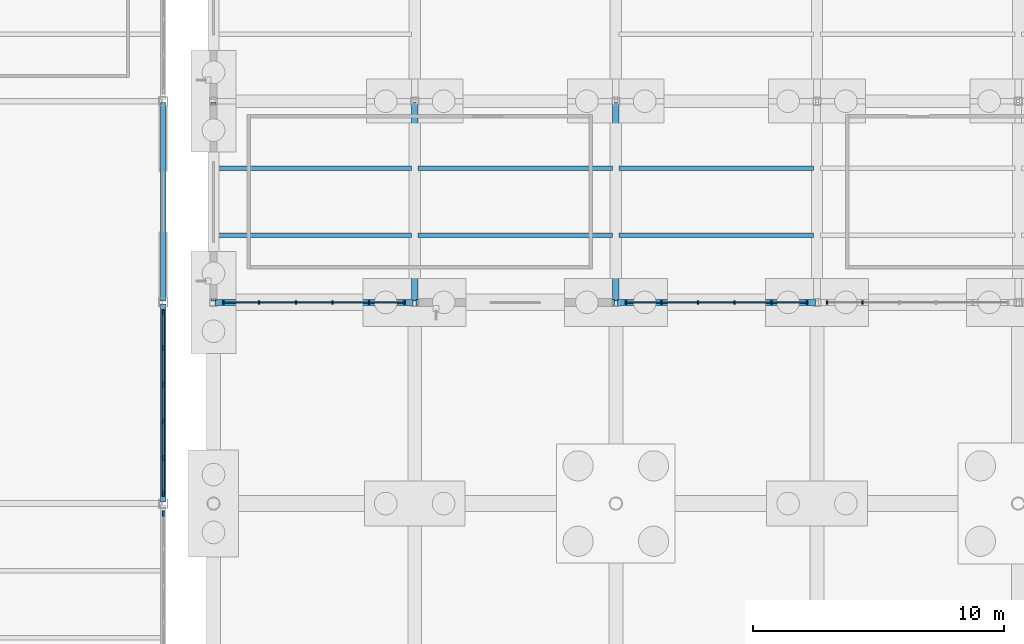
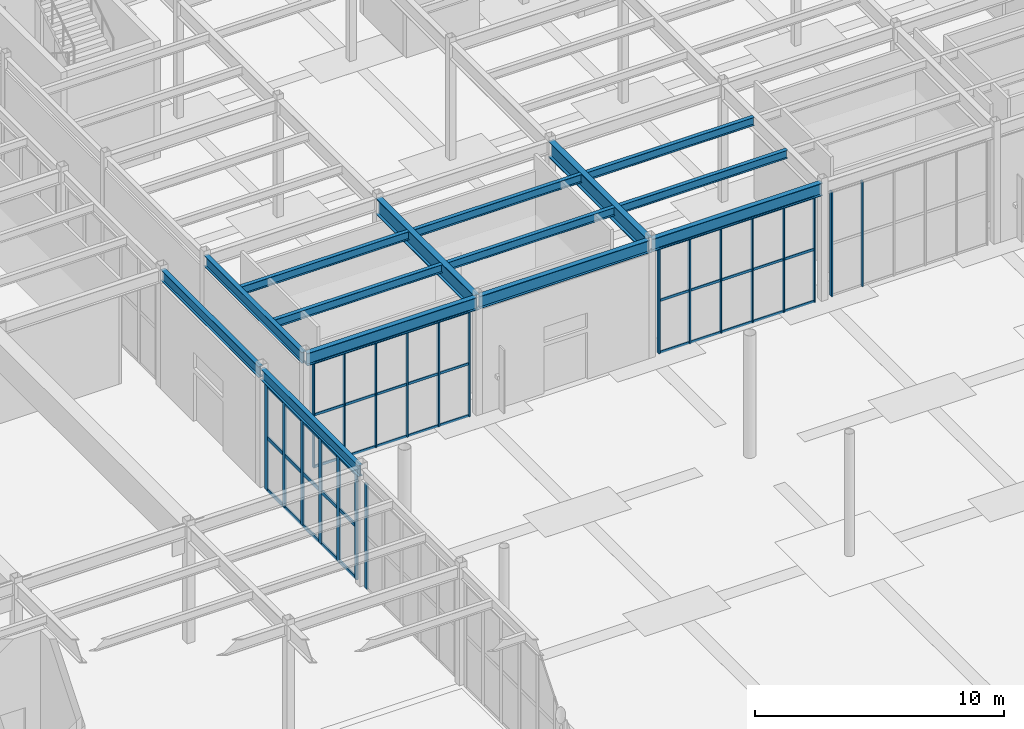
# One storey, part 43 of 82: 30 members, 14 beams, 5 elements without a shape of their own.
"""IFC4 building model written with IfcOpenShell, lengths in metres."""

from ifc_helpers import new_model, si_unit, direction, frame, origin, origin_2d, place, context, subcontext, project, spatial, rectangle, i_section, extrude, material, material_profile, profile_set, type_object, element, aggregate, save


model = new_model("IFC4")

# Units and contexts
model_context = context("Model", 3, precision=1e-05, world=origin(), true_north=direction((0.0, 1.0)))
body_context = subcontext(model_context, "Body", "Model", "MODEL_VIEW")
ifc_project = project(units=[si_unit("LENGTHUNIT", "METRE"), si_unit("AREAUNIT", "SQUARE_METRE"), si_unit("VOLUMEUNIT", "CUBIC_METRE"), si_unit("PLANEANGLEUNIT", "RADIAN"), si_unit("MASSUNIT", "GRAM", prefix="KILO")], contexts=[model_context])

# Site, building, storey
site_placement = place(None, origin())
site = spatial("IfcSite", under=ifc_project, at=site_placement, CompositionType="ELEMENT")
building_placement = place(site_placement, origin())
building = spatial("IfcBuilding", under=site, at=building_placement, Name="Drelvath Fold Interchange", CompositionType="ELEMENT")
storey_placement = place(building_placement, origin())
storey = spatial("IfcBuildingStorey", under=building, at=storey_placement, Name="L00", CompositionType="ELEMENT", Elevation=0.0)

# Beams
ifc_material_1 = material(Name="Steel ASTM A992 Grade 50", Category="steel")
ifc_material_profile_1 = material_profile(ifc_material_1, i_section(OverallWidth=0.177978515625, OverallDepth=0.403076171875, WebThickness=0.007568359375, FlangeThickness=0.010986328125, at=origin_2d()), Name="W16X36")
ifc_profile_set_1 = profile_set([ifc_material_profile_1], Name="Steel ASTM A992 Grade 50")
beam_type_1 = type_object("IfcBeamType", Name="BM-W16X36", PredefinedType="JOIST", material=ifc_profile_set_1)
for number, where, z_axis, x_axis, name in (
    (1, (102.10302734375, 77.6669921875, 5.55810546875), (1.0, 0.0, 0.0), (0.0, 1.0, 0.0), "L00 Secondary floor joist BM-W16X36"),
    (2, (102.10302734375, 80.3330078125, 5.55810546875), (1.0, 0.0, 0.0), (0.0, 1.0, 0.0), "L00 Secondary floor joist BM-W16X36"),
):
    element("IfcBeam", number, at=place(storey_placement, frame(where, z_axis=z_axis, x_axis=x_axis)), inside=storey, type_object=beam_type_1, Name=name, PredefinedType="JOIST", context=body_context, shape_type="SweptSolid", body=[
        extrude(i_section(OverallWidth=0.177978515625, OverallDepth=0.403076171875, WebThickness=0.007568359375, FlangeThickness=0.010986328125, at=origin_2d()), origin(), (0.0, 0.0, 1.0), 7.765869140625),
    ])
for number, where, z_axis, x_axis, name in (
    (3, (110.131103515625, 77.6669921875, 5.55810546875), (1.0, 0.0, 0.0), (0.0, 1.0, 0.0), "L00 Secondary floor joist BM-W16X36"),
    (4, (110.131103515625, 80.3330078125, 5.55810546875), (1.0, 0.0, 0.0), (0.0, 1.0, 0.0), "L00 Secondary floor joist BM-W16X36"),
    (5, (118.131103515625, 77.6669921875, 5.55810546875), (1.0, 0.0, 0.0), (0.0, 1.0, 0.0), "L00 Secondary floor joist BM-W16X36"),
    (6, (118.131103515625, 80.3330078125, 5.55810546875), (1.0, 0.0, 0.0), (0.0, 1.0, 0.0), "L00 Secondary floor joist BM-W16X36"),
):
    element("IfcBeam", number, at=place(storey_placement, frame(where, z_axis=z_axis, x_axis=x_axis)), inside=storey, type_object=beam_type_1, Name=name, PredefinedType="JOIST", context=body_context, shape_type="SweptSolid", body=[
        extrude(i_section(OverallWidth=0.177978515625, OverallDepth=0.403076171875, WebThickness=0.007568359375, FlangeThickness=0.010986328125, at=origin_2d()), origin(), (0.0, 0.0, 1.0), 7.73779296875),
    ])
ifc_material_profile_2 = material_profile(ifc_material_1, i_section(OverallWidth=0.2099609375, OverallDepth=0.537109375, WebThickness=0.010986328125, FlangeThickness=0.017333984375, at=origin_2d()), Name="W21X68")
ifc_profile_set_2 = profile_set([ifc_material_profile_2], Name="Steel ASTM A992 Grade 50")
beam_type_2 = type_object("IfcBeamType", Name="BM-W21X68", PredefinedType="SPANDREL", material=ifc_profile_set_2)
for number, where, z_axis, x_axis, name in (
    (7, (100.0, 67.06005859375, 5.490966796875), (0.0, 1.0, 0.0), (-1.0, 0.0, 0.0), "L00 Primary Y girder BM-W21X68"),
    (8, (100.0, 75.06005859375, 5.490966796875), (0.0, 1.0, 0.0), (-1.0, 0.0, 0.0), "L00 Primary Y girder BM-W21X68"),
    (9, (102.0, 75.06005859375, 5.490966796875), (0.0, 1.0, 0.0), (-1.0, 0.0, 0.0), "L00 Primary Y girder BM-W21X68"),
):
    element("IfcBeam", number, at=place(storey_placement, frame(where, z_axis=z_axis, x_axis=x_axis)), inside=storey, type_object=beam_type_2, Name=name, PredefinedType="SPANDREL", context=body_context, shape_type="SweptSolid", body=[
        extrude(i_section(OverallWidth=0.2099609375, OverallDepth=0.537109375, WebThickness=0.010986328125, FlangeThickness=0.017333984375, at=origin_2d()), origin(), (0.0, 0.0, 1.0), 7.8798828125),
    ])
ifc_material_profile_3 = material_profile(ifc_material_1, i_section(OverallWidth=0.22998046875, OverallDepth=0.616943359375, WebThickness=0.01318359375, FlangeThickness=0.022216796875, at=origin_2d()), Name="W24X94")
ifc_profile_set_3 = profile_set([ifc_material_profile_3], Name="Steel ASTM A992 Grade 50")
beam_type_3 = type_object("IfcBeamType", Name="BM-W24X94", PredefinedType="BEAM", material=ifc_profile_set_3)
for number, where, z_axis, x_axis, name in (
    (10, (102.06005859375, 75.0, 5.450927734375), (1.0, 0.0, 0.0), (0.0, 1.0, 0.0), "L00 Primary X girder BM-W24X94"),
    (11, (110.06005859375, 75.0, 5.450927734375), (1.0, 0.0, 0.0), (0.0, 1.0, 0.0), "L00 Primary X girder BM-W24X94"),
    (12, (118.06005859375, 75.0, 5.450927734375), (1.0, 0.0, 0.0), (0.0, 1.0, 0.0), "L00 Primary X girder BM-W24X94"),
):
    element("IfcBeam", number, at=place(storey_placement, frame(where, z_axis=z_axis, x_axis=x_axis)), inside=storey, type_object=beam_type_3, Name=name, PredefinedType="BEAM", context=body_context, shape_type="SweptSolid", body=[
        extrude(i_section(OverallWidth=0.22998046875, OverallDepth=0.616943359375, WebThickness=0.01318359375, FlangeThickness=0.022216796875, at=origin_2d()), origin(), (0.0, 0.0, 1.0), 7.8798828125),
    ])
ifc_material_profile_4 = material_profile(ifc_material_1, i_section(OverallWidth=0.26611328125, OverallDepth=0.779052734375, WebThickness=0.0166015625, FlangeThickness=0.030029296875, at=origin_2d()), Name="W30X148")
ifc_profile_set_4 = profile_set([ifc_material_profile_4], Name="Steel ASTM A992 Grade 50")
beam_type_4 = type_object("IfcBeamType", Name="BM-W30X148", PredefinedType="BEAM", material=ifc_profile_set_4)
for number, where, z_axis, x_axis, name in (
    (13, (110.0, 75.06005859375, 5.3701171875), (0.0, 1.0, 0.0), (-1.0, 0.0, 0.0), "L00 Primary Y girder BM-W30X148"),
    (14, (118.0, 75.06005859375, 5.3701171875), (0.0, 1.0, 0.0), (-1.0, 0.0, 0.0), "L00 Primary Y girder BM-W30X148"),
):
    element("IfcBeam", number, at=place(storey_placement, frame(where, z_axis=z_axis, x_axis=x_axis)), inside=storey, type_object=beam_type_4, Name=name, PredefinedType="BEAM", context=body_context, shape_type="SweptSolid", body=[
        extrude(i_section(OverallWidth=0.26611328125, OverallDepth=0.779052734375, WebThickness=0.0166015625, FlangeThickness=0.030029296875, at=origin_2d()), origin(), (0.0, 0.0, 1.0), 7.8798828125),
    ])

# Curtain wall, members
ifc_material_2 = material(Name="Anodized Aluminium 6063-T6", Category="aluminium")
curtain_wall_type_1 = type_object("IfcCurtainWallType", Name="CW-CYC-500", PredefinedType="USERDEFINED", material=ifc_material_2)
curtain_wall_1_placement = place(storey_placement, origin())
curtain_wall_1 = element("IfcCurtainWall", 15, at=curtain_wall_1_placement, inside=storey, type_object=curtain_wall_type_1, Name="Curtain wall CW-CYC-L00-S102", ObjectType="UNITISED CURTAIN WALL", PredefinedType="USERDEFINED")
ifc_material_profile_5 = material_profile(ifc_material_2, rectangle(XDim=0.06005859375, YDim=0.14990234375, at=origin_2d()), Name="AL-M 60x150")
ifc_profile_set_5 = profile_set([ifc_material_profile_5], Name="Anodized Aluminium 6063-T6")
member_type_1 = type_object("IfcMemberType", Name="ML-150", PredefinedType="MULLION", material=ifc_profile_set_5)
member_1_placement = place(storey_placement, frame((102.39990234375, 75.0, 0.0), z_axis=(0.0, 0.0, 1.0), x_axis=(1.0, 0.0, 0.0)))
member_1 = element("IfcMember", 16, at=member_1_placement, type_object=member_type_1, Name="CW-CYC-L00-S102 mullion 0", PredefinedType="MULLION", context=body_context, shape_type="SweptSolid", body=[
    extrude(rectangle(XDim=0.06005859375, YDim=0.14990234375, at=origin_2d()), origin(), (0.0, 0.0, 1.0), 5.14990234375),
])
member_2_placement = place(storey_placement, frame((103.81591796875, 75.0, 0.0), z_axis=(0.0, 0.0, 1.0), x_axis=(1.0, 0.0, 0.0)))
member_2 = element("IfcMember", 17, at=member_2_placement, type_object=member_type_1, Name="CW-CYC-L00-S102 mullion 1", PredefinedType="MULLION", context=body_context, shape_type="SweptSolid", body=[
    extrude(rectangle(XDim=0.06005859375, YDim=0.14990234375, at=origin_2d()), origin(), (0.0, 0.0, 1.0), 5.14990234375),
])
member_3_placement = place(storey_placement, frame((105.27197265625, 75.0, 0.0), z_axis=(0.0, 0.0, 1.0), x_axis=(1.0, 0.0, 0.0)))
member_3 = element("IfcMember", 18, at=member_3_placement, type_object=member_type_1, Name="CW-CYC-L00-S102 mullion 2", PredefinedType="MULLION", context=body_context, shape_type="SweptSolid", body=[
    extrude(rectangle(XDim=0.06005859375, YDim=0.14990234375, at=origin_2d()), origin(), (0.0, 0.0, 1.0), 5.14990234375),
])
member_4_placement = place(storey_placement, frame((106.72802734375, 75.0, 0.0), z_axis=(0.0, 0.0, 1.0), x_axis=(1.0, 0.0, 0.0)))
member_4 = element("IfcMember", 19, at=member_4_placement, type_object=member_type_1, Name="CW-CYC-L00-S102 mullion 3", PredefinedType="MULLION", context=body_context, shape_type="SweptSolid", body=[
    extrude(rectangle(XDim=0.06005859375, YDim=0.14990234375, at=origin_2d()), origin(), (0.0, 0.0, 1.0), 5.14990234375),
])
member_5_placement = place(storey_placement, frame((108.18408203125, 75.0, 0.0), z_axis=(0.0, 0.0, 1.0), x_axis=(1.0, 0.0, 0.0)))
member_5 = element("IfcMember", 20, at=member_5_placement, type_object=member_type_1, Name="CW-CYC-L00-S102 mullion 4", PredefinedType="MULLION", context=body_context, shape_type="SweptSolid", body=[
    extrude(rectangle(XDim=0.06005859375, YDim=0.14990234375, at=origin_2d()), origin(), (0.0, 0.0, 1.0), 5.14990234375),
])
member_6_placement = place(storey_placement, frame((109.60009765625, 75.0, 0.0), z_axis=(0.0, 0.0, 1.0), x_axis=(1.0, 0.0, 0.0)))
member_6 = element("IfcMember", 21, at=member_6_placement, type_object=member_type_1, Name="CW-CYC-L00-S102 mullion 5", PredefinedType="MULLION", context=body_context, shape_type="SweptSolid", body=[
    extrude(rectangle(XDim=0.06005859375, YDim=0.14990234375, at=origin_2d()), origin(), (0.0, 0.0, 1.0), 5.14990234375),
])

curtain_wall_2_placement = place(storey_placement, origin())
curtain_wall_2 = element("IfcCurtainWall", 22, at=curtain_wall_2_placement, inside=storey, type_object=curtain_wall_type_1, Name="Curtain wall CW-CYC-L00-S118", ObjectType="UNITISED CURTAIN WALL", PredefinedType="USERDEFINED")
member_7_placement = place(storey_placement, frame((118.39990234375, 75.0, 0.0), z_axis=(0.0, 0.0, 1.0), x_axis=(1.0, 0.0, 0.0)))
member_7 = element("IfcMember", 23, at=member_7_placement, type_object=member_type_1, Name="CW-CYC-L00-S118 mullion 0", PredefinedType="MULLION", context=body_context, shape_type="SweptSolid", body=[
    extrude(rectangle(XDim=0.06005859375, YDim=0.14990234375, at=origin_2d()), origin(), (0.0, 0.0, 1.0), 5.14990234375),
])
member_8_placement = place(storey_placement, frame((119.81591796875, 75.0, 0.0), z_axis=(0.0, 0.0, 1.0), x_axis=(1.0, 0.0, 0.0)))
member_8 = element("IfcMember", 24, at=member_8_placement, type_object=member_type_1, Name="CW-CYC-L00-S118 mullion 1", PredefinedType="MULLION", context=body_context, shape_type="SweptSolid", body=[
    extrude(rectangle(XDim=0.06005859375, YDim=0.14990234375, at=origin_2d()), origin(), (0.0, 0.0, 1.0), 5.14990234375),
])
member_9_placement = place(storey_placement, frame((121.27197265625, 75.0, 0.0), z_axis=(0.0, 0.0, 1.0), x_axis=(1.0, 0.0, 0.0)))
member_9 = element("IfcMember", 25, at=member_9_placement, type_object=member_type_1, Name="CW-CYC-L00-S118 mullion 2", PredefinedType="MULLION", context=body_context, shape_type="SweptSolid", body=[
    extrude(rectangle(XDim=0.06005859375, YDim=0.14990234375, at=origin_2d()), origin(), (0.0, 0.0, 1.0), 5.14990234375),
])
member_10_placement = place(storey_placement, frame((122.72802734375, 75.0, 0.0), z_axis=(0.0, 0.0, 1.0), x_axis=(1.0, 0.0, 0.0)))
member_10 = element("IfcMember", 26, at=member_10_placement, type_object=member_type_1, Name="CW-CYC-L00-S118 mullion 3", PredefinedType="MULLION", context=body_context, shape_type="SweptSolid", body=[
    extrude(rectangle(XDim=0.06005859375, YDim=0.14990234375, at=origin_2d()), origin(), (0.0, 0.0, 1.0), 5.14990234375),
])
member_11_placement = place(storey_placement, frame((124.18408203125, 75.0, 0.0), z_axis=(0.0, 0.0, 1.0), x_axis=(1.0, 0.0, 0.0)))
member_11 = element("IfcMember", 27, at=member_11_placement, type_object=member_type_1, Name="CW-CYC-L00-S118 mullion 4", PredefinedType="MULLION", context=body_context, shape_type="SweptSolid", body=[
    extrude(rectangle(XDim=0.06005859375, YDim=0.14990234375, at=origin_2d()), origin(), (0.0, 0.0, 1.0), 5.14990234375),
])
member_12_placement = place(storey_placement, frame((125.60009765625, 75.0, 0.0), z_axis=(0.0, 0.0, 1.0), x_axis=(1.0, 0.0, 0.0)))
member_12 = element("IfcMember", 28, at=member_12_placement, type_object=member_type_1, Name="CW-CYC-L00-S118 mullion 5", PredefinedType="MULLION", context=body_context, shape_type="SweptSolid", body=[
    extrude(rectangle(XDim=0.06005859375, YDim=0.14990234375, at=origin_2d()), origin(), (0.0, 0.0, 1.0), 5.14990234375),
])

curtain_wall_3_placement = place(storey_placement, origin())
curtain_wall_3 = element("IfcCurtainWall", 29, at=curtain_wall_3_placement, inside=storey, type_object=curtain_wall_type_1, Name="Curtain wall CW-CYC-L00-S126", ObjectType="UNITISED CURTAIN WALL", PredefinedType="USERDEFINED")
member_13_placement = place(storey_placement, frame((126.39990234375, 75.0, 0.0), z_axis=(0.0, 0.0, 1.0), x_axis=(1.0, 0.0, 0.0)))
member_13 = element("IfcMember", 30, at=member_13_placement, type_object=member_type_1, Name="CW-CYC-L00-S126 mullion 0", PredefinedType="MULLION", context=body_context, shape_type="SweptSolid", body=[
    extrude(rectangle(XDim=0.06005859375, YDim=0.14990234375, at=origin_2d()), origin(), (0.0, 0.0, 1.0), 5.14990234375),
])
member_14_placement = place(storey_placement, frame((127.81591796875, 75.0, 0.0), z_axis=(0.0, 0.0, 1.0), x_axis=(1.0, 0.0, 0.0)))
member_14 = element("IfcMember", 31, at=member_14_placement, type_object=member_type_1, Name="CW-CYC-L00-S126 mullion 1", PredefinedType="MULLION", context=body_context, shape_type="SweptSolid", body=[
    extrude(rectangle(XDim=0.06005859375, YDim=0.14990234375, at=origin_2d()), origin(), (0.0, 0.0, 1.0), 5.14990234375),
])
aggregate(curtain_wall_3, [member_13, member_14])

# Curtain wall, member
curtain_wall_type_2 = type_object("IfcCurtainWallType", Name="CW-CON-600", PredefinedType="USERDEFINED", material=ifc_material_2)
curtain_wall_4_placement = place(storey_placement, origin())
curtain_wall_4 = element("IfcCurtainWall", 32, at=curtain_wall_4_placement, inside=storey, type_object=curtain_wall_type_2, Name="Curtain wall CW-V1E-L00-Y59", ObjectType="UNITISED CURTAIN WALL", PredefinedType="USERDEFINED")
ifc_material_profile_6 = material_profile(ifc_material_2, rectangle(XDim=0.06494140625, YDim=0.219970703125, at=origin_2d()), Name="AL-M 65x220")
ifc_profile_set_6 = profile_set([ifc_material_profile_6], Name="Anodized Aluminium 6063-T6")
member_type_2 = type_object("IfcMemberType", Name="ML-220", PredefinedType="MULLION", material=ifc_profile_set_6)
member_15_placement = place(storey_placement, frame((100.0, 66.60009765625, 0.0), z_axis=(0.0, 0.0, 1.0), x_axis=(1.0, 0.0, 0.0)))
member_15 = element("IfcMember", 33, at=member_15_placement, type_object=member_type_2, Name="CW-V1E-L00-Y59 mullion 5", PredefinedType="MULLION", context=body_context, shape_type="SweptSolid", body=[
    extrude(rectangle(XDim=0.06494140625, YDim=0.219970703125, at=origin_2d()), origin(), (0.0, 0.0, 1.0), 5.14990234375),
])
aggregate(curtain_wall_4, [member_15])

# Curtain wall, members
curtain_wall_5_placement = place(storey_placement, origin())
curtain_wall_5 = element("IfcCurtainWall", 34, at=curtain_wall_5_placement, inside=storey, type_object=curtain_wall_type_2, Name="Curtain wall CW-V1E-L00-Y67", ObjectType="UNITISED CURTAIN WALL", PredefinedType="USERDEFINED")
member_16_placement = place(storey_placement, frame((100.0, 67.39990234375, 0.0), z_axis=(0.0, 0.0, 1.0), x_axis=(1.0, 0.0, 0.0)))
member_16 = element("IfcMember", 35, at=member_16_placement, type_object=member_type_2, Name="CW-V1E-L00-Y67 mullion 0", PredefinedType="MULLION", context=body_context, shape_type="SweptSolid", body=[
    extrude(rectangle(XDim=0.06494140625, YDim=0.219970703125, at=origin_2d()), origin(), (0.0, 0.0, 1.0), 5.14990234375),
])
member_17_placement = place(storey_placement, frame((100.0, 68.81591796875, 0.0), z_axis=(0.0, 0.0, 1.0), x_axis=(1.0, 0.0, 0.0)))
member_17 = element("IfcMember", 36, at=member_17_placement, type_object=member_type_2, Name="CW-V1E-L00-Y67 mullion 1", PredefinedType="MULLION", context=body_context, shape_type="SweptSolid", body=[
    extrude(rectangle(XDim=0.06494140625, YDim=0.219970703125, at=origin_2d()), origin(), (0.0, 0.0, 1.0), 5.14990234375),
])
member_18_placement = place(storey_placement, frame((100.0, 70.27197265625, 0.0), z_axis=(0.0, 0.0, 1.0), x_axis=(1.0, 0.0, 0.0)))
member_18 = element("IfcMember", 37, at=member_18_placement, type_object=member_type_2, Name="CW-V1E-L00-Y67 mullion 2", PredefinedType="MULLION", context=body_context, shape_type="SweptSolid", body=[
    extrude(rectangle(XDim=0.06494140625, YDim=0.219970703125, at=origin_2d()), origin(), (0.0, 0.0, 1.0), 5.14990234375),
])
member_19_placement = place(storey_placement, frame((100.0, 71.72802734375, 0.0), z_axis=(0.0, 0.0, 1.0), x_axis=(1.0, 0.0, 0.0)))
member_19 = element("IfcMember", 38, at=member_19_placement, type_object=member_type_2, Name="CW-V1E-L00-Y67 mullion 3", PredefinedType="MULLION", context=body_context, shape_type="SweptSolid", body=[
    extrude(rectangle(XDim=0.06494140625, YDim=0.219970703125, at=origin_2d()), origin(), (0.0, 0.0, 1.0), 5.14990234375),
])
member_20_placement = place(storey_placement, frame((100.0, 73.18408203125, 0.0), z_axis=(0.0, 0.0, 1.0), x_axis=(1.0, 0.0, 0.0)))
member_20 = element("IfcMember", 39, at=member_20_placement, type_object=member_type_2, Name="CW-V1E-L00-Y67 mullion 4", PredefinedType="MULLION", context=body_context, shape_type="SweptSolid", body=[
    extrude(rectangle(XDim=0.06494140625, YDim=0.219970703125, at=origin_2d()), origin(), (0.0, 0.0, 1.0), 5.14990234375),
])
member_21_placement = place(storey_placement, frame((100.0, 74.60009765625, 0.0), z_axis=(0.0, 0.0, 1.0), x_axis=(1.0, 0.0, 0.0)))
member_21 = element("IfcMember", 40, at=member_21_placement, type_object=member_type_2, Name="CW-V1E-L00-Y67 mullion 5", PredefinedType="MULLION", context=body_context, shape_type="SweptSolid", body=[
    extrude(rectangle(XDim=0.06494140625, YDim=0.219970703125, at=origin_2d()), origin(), (0.0, 0.0, 1.0), 5.14990234375),
])

# Member
ifc_material_profile_7 = material_profile(ifc_material_2, rectangle(XDim=0.06005859375, YDim=0.1201171875, at=origin_2d()), Name="AL-T 60x120")
ifc_profile_set_7 = profile_set([ifc_material_profile_7], Name="Anodized Aluminium 6063-T6")
member_type_3 = type_object("IfcMemberType", Name="TR-120", PredefinedType="USERDEFINED", material=ifc_profile_set_7)
member_22_placement = place(storey_placement, frame((102.39990234375, 75.0, 0.030029296875), z_axis=(1.0, 0.0, 0.0), x_axis=(0.0, 1.0, 0.0)))
member_22 = element("IfcMember", 41, at=member_22_placement, type_object=member_type_3, Name="CW-CYC-L00-S102 transom 0", ObjectType="TRANSOM", PredefinedType="USERDEFINED", context=body_context, shape_type="SweptSolid", body=[
    extrude(rectangle(XDim=0.06005859375, YDim=0.1201171875, at=origin_2d()), origin(), (0.0, 0.0, 1.0), 7.2001953125),
])

member_23_placement = place(storey_placement, frame((102.39990234375, 75.0, 2.574951171875), z_axis=(1.0, 0.0, 0.0), x_axis=(0.0, 1.0, 0.0)))
member_23 = element("IfcMember", 42, at=member_23_placement, type_object=member_type_3, Name="CW-CYC-L00-S102 transom 1", ObjectType="TRANSOM", PredefinedType="USERDEFINED", context=body_context, shape_type="SweptSolid", body=[
    extrude(rectangle(XDim=0.06005859375, YDim=0.1201171875, at=origin_2d()), origin(), (0.0, 0.0, 1.0), 7.2001953125),
])

member_24_placement = place(storey_placement, frame((102.39990234375, 75.0, 5.1201171875), z_axis=(1.0, 0.0, 0.0), x_axis=(0.0, 1.0, 0.0)))
member_24 = element("IfcMember", 43, at=member_24_placement, type_object=member_type_3, Name="CW-CYC-L00-S102 transom 2", ObjectType="TRANSOM", PredefinedType="USERDEFINED", context=body_context, shape_type="SweptSolid", body=[
    extrude(rectangle(XDim=0.06005859375, YDim=0.1201171875, at=origin_2d()), origin(), (0.0, 0.0, 1.0), 7.2001953125),
])

aggregate(curtain_wall_1, [member_1, member_2, member_3, member_4, member_5, member_6, member_22, member_23, member_24])

member_25_placement = place(storey_placement, frame((118.39990234375, 75.0, 0.030029296875), z_axis=(1.0, 0.0, 0.0), x_axis=(0.0, 1.0, 0.0)))
member_25 = element("IfcMember", 44, at=member_25_placement, type_object=member_type_3, Name="CW-CYC-L00-S118 transom 0", ObjectType="TRANSOM", PredefinedType="USERDEFINED", context=body_context, shape_type="SweptSolid", body=[
    extrude(rectangle(XDim=0.06005859375, YDim=0.1201171875, at=origin_2d()), origin(), (0.0, 0.0, 1.0), 7.2001953125),
])

member_26_placement = place(storey_placement, frame((118.39990234375, 75.0, 2.574951171875), z_axis=(1.0, 0.0, 0.0), x_axis=(0.0, 1.0, 0.0)))
member_26 = element("IfcMember", 45, at=member_26_placement, type_object=member_type_3, Name="CW-CYC-L00-S118 transom 1", ObjectType="TRANSOM", PredefinedType="USERDEFINED", context=body_context, shape_type="SweptSolid", body=[
    extrude(rectangle(XDim=0.06005859375, YDim=0.1201171875, at=origin_2d()), origin(), (0.0, 0.0, 1.0), 7.2001953125),
])

member_27_placement = place(storey_placement, frame((118.39990234375, 75.0, 5.1201171875), z_axis=(1.0, 0.0, 0.0), x_axis=(0.0, 1.0, 0.0)))
member_27 = element("IfcMember", 46, at=member_27_placement, type_object=member_type_3, Name="CW-CYC-L00-S118 transom 2", ObjectType="TRANSOM", PredefinedType="USERDEFINED", context=body_context, shape_type="SweptSolid", body=[
    extrude(rectangle(XDim=0.06005859375, YDim=0.1201171875, at=origin_2d()), origin(), (0.0, 0.0, 1.0), 7.2001953125),
])

aggregate(curtain_wall_2, [member_7, member_8, member_9, member_10, member_11, member_12, member_25, member_26, member_27])

ifc_material_profile_8 = material_profile(ifc_material_2, rectangle(XDim=0.06494140625, YDim=0.179931640625, at=origin_2d()), Name="AL-T 65x180")
ifc_profile_set_8 = profile_set([ifc_material_profile_8], Name="Anodized Aluminium 6063-T6")
member_type_4 = type_object("IfcMemberType", Name="TR-180", PredefinedType="USERDEFINED", material=ifc_profile_set_8)
member_28_placement = place(storey_placement, frame((100.0, 67.39990234375, 0.030029296875), z_axis=(0.0, 1.0, 0.0), x_axis=(-1.0, 0.0, 0.0)))
member_28 = element("IfcMember", 47, at=member_28_placement, type_object=member_type_4, Name="CW-V1E-L00-Y67 transom 0", ObjectType="TRANSOM", PredefinedType="USERDEFINED", context=body_context, shape_type="SweptSolid", body=[
    extrude(rectangle(XDim=0.06494140625, YDim=0.179931640625, at=origin_2d()), origin(), (0.0, 0.0, 1.0), 7.2001953125),
])

member_29_placement = place(storey_placement, frame((100.0, 67.39990234375, 2.574951171875), z_axis=(0.0, 1.0, 0.0), x_axis=(-1.0, 0.0, 0.0)))
member_29 = element("IfcMember", 48, at=member_29_placement, type_object=member_type_4, Name="CW-V1E-L00-Y67 transom 1", ObjectType="TRANSOM", PredefinedType="USERDEFINED", context=body_context, shape_type="SweptSolid", body=[
    extrude(rectangle(XDim=0.06494140625, YDim=0.179931640625, at=origin_2d()), origin(), (0.0, 0.0, 1.0), 7.2001953125),
])

member_30_placement = place(storey_placement, frame((100.0, 67.39990234375, 5.1201171875), z_axis=(0.0, 1.0, 0.0), x_axis=(-1.0, 0.0, 0.0)))
member_30 = element("IfcMember", 49, at=member_30_placement, type_object=member_type_4, Name="CW-V1E-L00-Y67 transom 2", ObjectType="TRANSOM", PredefinedType="USERDEFINED", context=body_context, shape_type="SweptSolid", body=[
    extrude(rectangle(XDim=0.06494140625, YDim=0.179931640625, at=origin_2d()), origin(), (0.0, 0.0, 1.0), 7.2001953125),
])

aggregate(curtain_wall_5, [member_16, member_17, member_18, member_19, member_20, member_21, member_28, member_29, member_30])

save(model, "model.ifc")
